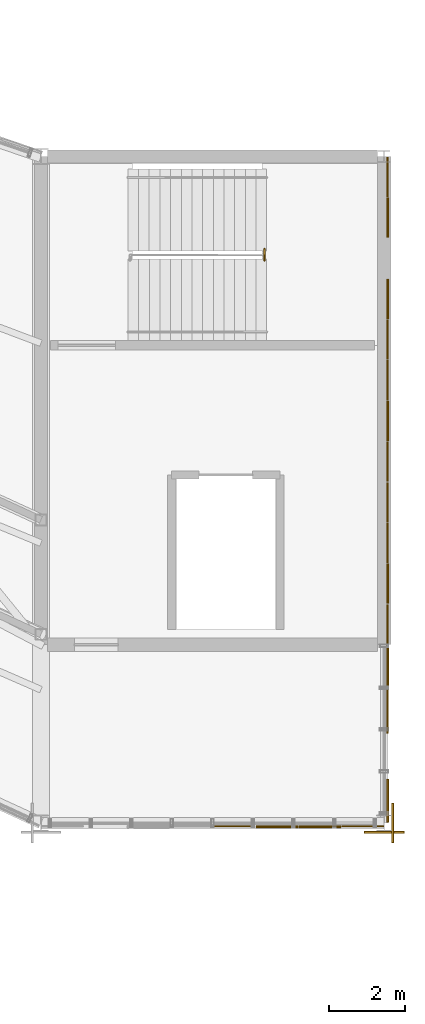
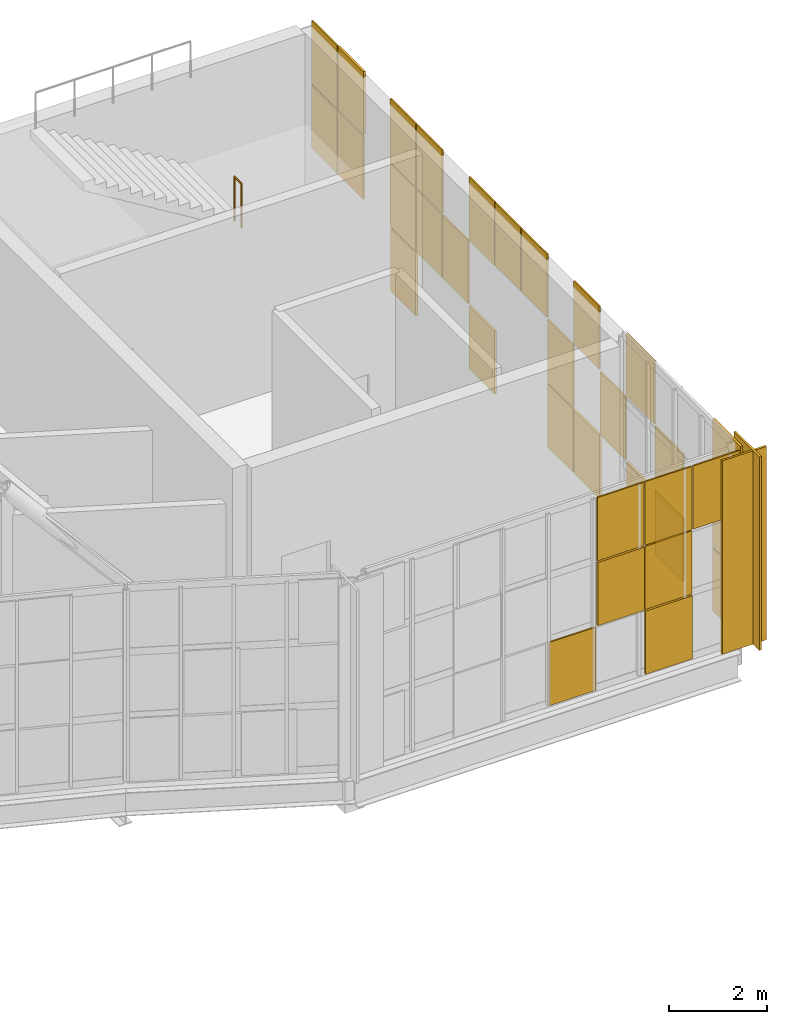
# One storey, part 46 of 46: 35 coverings, 1 railing.
"""IFC4 building model written with IfcOpenShell, lengths in metres."""

import ifcopenshell
import ifcopenshell.guid

model = None  # the IFC model being written
_history = None  # IfcOwnerHistory: only IFC2X3 demands one
_inside = {}  # id of a spatial element -> (the spatial element, [elements in it])
_under = {}  # id of a project, library or spatial element -> (it, [spatial elements below it])
_declared = {}  # id of a project -> (the project, [libraries it declares])
_typed = {}  # id of a type object -> (the type object, [elements of that type])
_made_of = {}  # id of a material, layer set ... -> (it, [elements and type objects made of it])


def new_model(schema):
    """Start an empty IFC model of exactly this schema.

    Asked for "IFC4X3", IfcOpenShell would pick the latest addendum, in which some entities
    have other attributes; the version numbers below select the first issue.
    IFC2X3 requires an IfcOwnerHistory on every rooted entity: one is made here for all.
    """
    global model, _history
    if schema == "IFC4X3":
        model = ifcopenshell.file(schema_version=(4, 3, 0, 0))
    else:
        model = ifcopenshell.file(schema=schema)
    _inside.clear()
    _under.clear()
    _declared.clear()
    _typed.clear()
    _made_of.clear()
    _history = None
    if model.schema == "IFC2X3":
        org = make("IfcOrganization", Name="unknown")
        user = make(
            "IfcPersonAndOrganization",
            ThePerson=make("IfcPerson", FamilyName="unknown"),
            TheOrganization=org,
        )
        app = make(
            "IfcApplication",
            ApplicationDeveloper=org,
            Version="unknown",
            ApplicationFullName="unknown",
            ApplicationIdentifier="unknown",
        )
        _history = make(
            "IfcOwnerHistory",
            OwningUser=user,
            OwningApplication=app,
            ChangeAction="ADDED",
            CreationDate=0,
        )
    return model


def make(cls, **values):
    """One entity of the class cls with the attributes given. An attribute that is None is left unset."""
    return model.create_entity(
        cls, **{name: value for name, value in values.items() if value is not None}
    )


def rooted(cls, **values):
    """An entity with a GlobalId (a new one), such as an element, a storey or a relation."""
    return make(cls, GlobalId=ifcopenshell.guid.new(), OwnerHistory=_history, **values)


def si_unit(unit_type, name, prefix=None):
    """IfcSIUnit, for example si_unit("LENGTHUNIT", "METRE", prefix="MILLI")."""
    return make("IfcSIUnit", UnitType=unit_type, Prefix=prefix, Name=name)


def assignment(units):
    """IfcUnitAssignment: the units of a project."""
    return None if units is None else make("IfcUnitAssignment", Units=units)


def point(xyz):
    """IfcCartesianPoint."""
    return None if xyz is None else make("IfcCartesianPoint", Coordinates=xyz)


def direction(xyz):
    """IfcDirection."""
    return None if xyz is None else make("IfcDirection", DirectionRatios=xyz)


def frame(location, z_axis=None, x_axis=None):
    """IfcAxis2Placement3D, a coordinate frame: its origin and axes. An axis left out is left unset."""
    return make(
        "IfcAxis2Placement3D",
        Location=point(location),
        Axis=direction(z_axis),
        RefDirection=direction(x_axis),
    )


def frame_2d(location, x_axis=None):
    """IfcAxis2Placement2D, a coordinate frame in the plane: its origin and x axis."""
    return make(
        "IfcAxis2Placement2D", Location=point(location), RefDirection=direction(x_axis)
    )


def origin():
    """The frame at (0, 0, 0) with its axes left unset."""
    return frame((0.0, 0.0, 0.0))


def origin_2d():
    """The frame at (0, 0) in the plane with its x axis left unset."""
    return frame_2d((0.0, 0.0))


def place(relative_to, where):
    """IfcLocalPlacement: puts the frame where relative to a parent placement (None: the world)."""
    return make(
        "IfcLocalPlacement", PlacementRelTo=relative_to, RelativePlacement=where
    )


def context(
    kind, dimensions, precision=None, world=None, true_north=None, identifier=None
):
    """IfcGeometricRepresentationContext, for example the 3D "Model" context."""
    return make(
        "IfcGeometricRepresentationContext",
        ContextIdentifier=identifier,
        ContextType=kind,
        CoordinateSpaceDimension=dimensions,
        Precision=precision,
        WorldCoordinateSystem=world,
        TrueNorth=true_north,
    )


def subcontext(parent, identifier, kind, view, scale=None):
    """IfcGeometricRepresentationSubContext, for example "Body" below "Model"."""
    return make(
        "IfcGeometricRepresentationSubContext",
        ContextIdentifier=identifier,
        ContextType=kind,
        ParentContext=parent,
        TargetScale=scale,
        TargetView=view,
    )


def project(units=None, contexts=None):
    """IfcProject with its units and contexts."""
    return rooted(
        "IfcProject",
        Name="project",
        RepresentationContexts=contexts,
        UnitsInContext=assignment(units),
    )


def spatial(cls, under=None, at=None, **own):
    """A site, building, storey or space (cls), placed at a placement, below another one or the project."""
    s = rooted(cls, ObjectPlacement=at, **own)
    if under is not None:
        _under.setdefault(under.id(), (under, []))[1].append(s)
    return s


def profile(cls, at=None, kind="AREA", **sizes):
    """A parametric profile (cls). Its sizes go by their IFC names, for example OverallWidth=200.0."""
    return make(cls, ProfileType=kind, Position=at, **sizes)


def rectangle(**sizes):
    """IfcRectangleProfileDef."""
    return profile("IfcRectangleProfileDef", **sizes)


def circle(**sizes):
    """IfcCircleProfileDef."""
    return profile("IfcCircleProfileDef", **sizes)


def extrude(swept, where, along, depth):
    """IfcExtrudedAreaSolid: the profile swept, set in the frame where, extruded along a direction by depth."""
    return make(
        "IfcExtrudedAreaSolid",
        SweptArea=swept,
        Position=where,
        ExtrudedDirection=direction(along),
        Depth=depth,
    )


def shape(context_of_items, identifier, shape_type, items):
    """IfcShapeRepresentation: the items that make up one representation, for example the "Body"."""
    return make(
        "IfcShapeRepresentation",
        ContextOfItems=context_of_items,
        RepresentationIdentifier=identifier,
        RepresentationType=shape_type,
        Items=items,
    )


def material(Name=None, Category=None):
    """IfcMaterial."""
    return make("IfcMaterial", Name=Name, Category=Category)


def layer(
    of_material, thickness, ventilated=None, Name=None, Category=None, Priority=None
):
    """IfcMaterialLayer: one layer of a wall or slab, of a material (None: an air gap)."""
    return make(
        "IfcMaterialLayer",
        Material=of_material,
        LayerThickness=thickness,
        IsVentilated=ventilated,
        Name=Name,
        Category=Category,
        Priority=Priority,
    )


def layer_set(layers, Name=None):
    """IfcMaterialLayerSet."""
    return make("IfcMaterialLayerSet", MaterialLayers=layers, LayerSetName=Name)


def made_of(thing, what):
    """Note that an element or type object is made of a material, layer set ...; save() writes the relation."""
    if what is not None:
        _made_of.setdefault(what.id(), (what, []))[1].append(thing)
    return thing


def type_object(cls, material=None, **own):
    """A type object (cls), such as IfcWallType, which elements share."""
    return made_of(rooted(cls, **own), material)


def element(
    cls,
    number,
    at=None,
    inside=None,
    cuts=None,
    type_object=None,
    material=None,
    context=None,
    identifier="Body",
    shape_type=None,
    held_by="IfcProductDefinitionShape",
    body=None,
    shapes=None,
    **own,
):
    """One element of the class cls, such as IfcWall. Its Tag is "e" and its number.

    at: its placement. inside: the storey or other place that contains it. cuts: it is an
    opening in that element (IfcRelVoidsElement). A single representation is given by context,
    identifier, shape_type and body (its items); several are given by shapes. held_by: the class
    of the entity that holds the representations. save() writes the other relations.
    """
    e = rooted(cls, Tag="e%d" % number, ObjectPlacement=at, **own)
    if body is not None:
        shapes = [shape(context, identifier, shape_type, body)]
    if shapes is not None:
        e.Representation = make(held_by, Representations=shapes)
    if inside is not None:
        _inside.setdefault(inside.id(), (inside, []))[1].append(e)
    if cuts is not None:
        rooted(
            "IfcRelVoidsElement", RelatingBuildingElement=cuts, RelatedOpeningElement=e
        )
    if type_object is not None:
        _typed.setdefault(type_object.id(), (type_object, []))[1].append(e)
    return made_of(e, material)


def aggregate(whole, parts):
    """IfcRelAggregates: a whole, such as a stair, and the parts it consists of."""
    return rooted("IfcRelAggregates", RelatingObject=whole, RelatedObjects=parts)


def save(model, path):
    """Write the relations noted so far, then the file.

    IfcRelAggregates (storeys below a building ...), IfcRelContainedInSpatialStructure (elements
    in a storey), IfcRelDefinesByType, IfcRelAssociatesMaterial and IfcRelDeclares: one each for
    every whole, place, type object, material and project.
    """
    for whole, parts in _under.values():
        aggregate(whole, parts)
    for where, things in _inside.values():
        rooted(
            "IfcRelContainedInSpatialStructure",
            RelatedElements=things,
            RelatingStructure=where,
        )
    for kind, things in _typed.values():
        rooted("IfcRelDefinesByType", RelatedObjects=things, RelatingType=kind)
    for what, things in _made_of.values():
        rooted("IfcRelAssociatesMaterial", RelatedObjects=things, RelatingMaterial=what)
    for by, libraries in _declared.values():
        rooted("IfcRelDeclares", RelatingContext=by, RelatedDefinitions=libraries)
    model.write(path)


model = new_model("IFC4")

# Units and contexts
model_context = context("Model", 3, precision=1e-05, world=origin(), true_north=direction((0.0, 1.0)))
body_context = subcontext(model_context, "Body", "Model", "MODEL_VIEW")
ifc_project = project(units=[si_unit("LENGTHUNIT", "METRE"), si_unit("AREAUNIT", "SQUARE_METRE"), si_unit("VOLUMEUNIT", "CUBIC_METRE"), si_unit("PLANEANGLEUNIT", "RADIAN"), si_unit("MASSUNIT", "GRAM", prefix="KILO")], contexts=[model_context])

# Site, building, storey
site_placement = place(None, origin())
site = spatial("IfcSite", under=ifc_project, at=site_placement, CompositionType="ELEMENT")
building_placement = place(site_placement, origin())
building = spatial("IfcBuilding", under=site, at=building_placement, Name="Solvikara Media Centre", CompositionType="ELEMENT")
storey_placement = place(building_placement, frame((0.0, 0.0, 24.60009765625)))
storey = spatial("IfcBuildingStorey", under=building, at=storey_placement, Name="L05", CompositionType="ELEMENT", Elevation=24.60009765625)

# Coverings
ifc_material_1 = material(Name="GFRC white mineral architectural rainscreen panel")
ifc_layer_1 = layer(ifc_material_1, 0.050048828125)
ifc_layer_set_1 = layer_set([ifc_layer_1], Name="GFRC white mineral architectural rainscreen panel")
covering_type_1 = type_object("IfcCoveringType", Name="CV-04", PredefinedType="CLADDING", material=ifc_layer_set_1)
for number, where, z_axis, x_axis, name in (
    (1, (136.72802734375, 19.323974609375, 0.0), (0.0, 0.0, 1.0), (0.0, 1.0, 0.0), "PIL-L05-249"),
    (2, (136.5, 19.0849609375, 0.0), (0.0, 0.0, 1.0), (1.0, 0.0, 0.0), "PIL-L05-250"),
):
    element("IfcCovering", number, at=place(storey_placement, frame(where, z_axis=z_axis, x_axis=x_axis)), inside=storey, type_object=covering_type_1, Name=name, PredefinedType="CLADDING", context=body_context, shape_type="SweptSolid", body=[
        extrude(rectangle(XDim=1.0400390625, YDim=0.050048828125, at=origin_2d()), origin(), (0.0, 0.0, 1.0), 4.800048828125),
    ])
for number, where, z_axis, x_axis, name in (
    (3, (133.68798828125, 19.22998046875, 1.61474609375), (0.0, 0.0, 1.0), (1.0, 0.0, 0.0), "CW-L05-BHES-SF-51"),
    (4, (134.81201171875, 19.22998046875, 0.0146484375), (0.0, 0.0, 1.0), (1.0, 0.0, 0.0), "CW-L05-BHES-SF-60"),
):
    element("IfcCovering", number, at=place(storey_placement, frame(where, z_axis=z_axis, x_axis=x_axis)), inside=storey, type_object=covering_type_1, Name=name, PredefinedType="CLADDING", context=body_context, shape_type="SweptSolid", body=[
        extrude(rectangle(XDim=1.094970703125, YDim=0.050048828125, at=origin_2d()), origin(), (0.0, 0.0, 1.0), 1.570068359375),
    ])
for number, where, z_axis, x_axis, name in (
    (5, (136.593994140625, 19.908935546875, 0.0146484375), (0.0, 0.0, 1.0), (0.0, 1.0, 0.0), "CW-L05-BHEE-SF-00"),
    (6, (136.593994140625, 19.908935546875, 3.21484375), (0.0, 0.0, 1.0), (0.0, 1.0, 0.0), "CW-L05-BHEE-SF-02"),
    (7, (136.593994140625, 23.416015625, 0.0146484375), (0.0, 0.0, 1.0), (0.0, 1.0, 0.0), "CW-L05-BHEE-SF-30"),
):
    element("IfcCovering", number, at=place(storey_placement, frame(where, z_axis=z_axis, x_axis=x_axis)), inside=storey, type_object=covering_type_1, Name=name, PredefinedType="CLADDING", context=body_context, shape_type="SweptSolid", body=[
        extrude(rectangle(XDim=1.138916015625, YDim=0.050048828125, at=origin_2d()), origin(), (0.0, 0.0, 1.0), 1.570068359375),
    ])
covering_1_placement = place(storey_placement, frame((136.593994140625, 25.60009765625, 0.0146484375), z_axis=(0.0, 0.0, 1.0), x_axis=(0.0, 1.0, 0.0)))
element("IfcCovering", 8, at=covering_1_placement, inside=storey, type_object=covering_type_1, Name="SHM-L05-C4E-SF-10", PredefinedType="CLADDING", context=body_context, shape_type="SweptSolid", body=[
    extrude(rectangle(XDim=1.035888671875, YDim=0.050048828125, at=origin_2d()), origin(), (0.0, 0.0, 1.0), 1.570068359375),
])
for number, where, z_axis, x_axis, name in (
    (9, (136.593994140625, 29.866943359375, 0.0146484375), (0.0, 0.0, 1.0), (0.0, 1.0, 0.0), "SHM-L05-C4E-SF-50"),
    (10, (136.593994140625, 33.06689453125, 0.0146484375), (0.0, 0.0, 1.0), (0.0, 1.0, 0.0), "SHM-L05-C4E-SF-80"),
):
    element("IfcCovering", number, at=place(storey_placement, frame(where, z_axis=z_axis, x_axis=x_axis)), inside=storey, type_object=covering_type_1, Name=name, PredefinedType="CLADDING", context=body_context, shape_type="SweptSolid", body=[
        extrude(rectangle(XDim=1.037109375, YDim=0.050048828125, at=origin_2d()), origin(), (0.0, 0.0, 1.0), 1.570068359375),
    ])
covering_2_placement = place(storey_placement, frame((136.593994140625, 35.199951171875, 3.21484375), z_axis=(0.0, 0.0, 1.0), x_axis=(0.0, 1.0, 0.0)))
element("IfcCovering", 11, at=covering_2_placement, inside=storey, type_object=covering_type_1, Name="SHM-L05-C4E-SF-102", PredefinedType="CLADDING", context=body_context, shape_type="SweptSolid", body=[
    extrude(rectangle(XDim=1.035888671875, YDim=0.050048828125, at=origin_2d()), origin(), (0.0, 0.0, 1.0), 1.570068359375),
])
ifc_material_2 = material(Name="Insulated silver-pearl glass spandrel panel", Category="glass")
ifc_layer_2 = layer(ifc_material_2, 0.034912109375)
ifc_layer_set_2 = layer_set([ifc_layer_2], Name="Insulated silver-pearl glass spandrel panel")
covering_type_2 = type_object("IfcCoveringType", Name="CV-06", PredefinedType="CLADDING", material=ifc_layer_set_2)
for number, where, z_axis, x_axis, name in (
    (12, (132.56201171875, 19.239990234375, 0.0146484375), (0.0, 0.0, 1.0), (1.0, 0.0, 0.0), "CW-L05-BHES-PX-40"),
    (13, (133.68798828125, 19.239990234375, 3.21484375), (0.0, 0.0, 1.0), (1.0, 0.0, 0.0), "CW-L05-BHES-PX-52"),
    (14, (134.81201171875, 19.239990234375, 1.61474609375), (0.0, 0.0, 1.0), (1.0, 0.0, 0.0), "CW-L05-BHES-PX-61"),
    (15, (134.81201171875, 19.239990234375, 3.21484375), (0.0, 0.0, 1.0), (1.0, 0.0, 0.0), "CW-L05-BHES-PX-62"),
    (16, (135.93798828125, 19.239990234375, 3.21484375), (0.0, 0.0, 1.0), (1.0, 0.0, 0.0), "CW-L05-BHES-PX-72"),
):
    element("IfcCovering", number, at=place(storey_placement, frame(where, z_axis=z_axis, x_axis=x_axis)), inside=storey, type_object=covering_type_2, Name=name, PredefinedType="CLADDING", context=body_context, shape_type="SweptSolid", body=[
        extrude(rectangle(XDim=1.094970703125, YDim=0.034912109375, at=origin_2d()), origin(), (0.0, 0.0, 1.0), 1.570068359375),
    ])
for number, where, z_axis, x_axis, name in (
    (17, (136.583984375, 19.908935546875, 1.61474609375), (0.0, 0.0, 1.0), (0.0, 1.0, 0.0), "CW-L05-BHEE-PX-01"),
    (18, (136.583984375, 22.24609375, 0.0146484375), (0.0, 0.0, 1.0), (0.0, 1.0, 0.0), "CW-L05-BHEE-PX-20"),
    (19, (136.583984375, 22.24609375, 1.61474609375), (0.0, 0.0, 1.0), (0.0, 1.0, 0.0), "CW-L05-BHEE-PX-21"),
    (20, (136.583984375, 23.416015625, 3.21484375), (0.0, 0.0, 1.0), (0.0, 1.0, 0.0), "CW-L05-BHEE-PX-32"),
):
    element("IfcCovering", number, at=place(storey_placement, frame(where, z_axis=z_axis, x_axis=x_axis)), inside=storey, type_object=covering_type_2, Name=name, PredefinedType="CLADDING", context=body_context, shape_type="SweptSolid", body=[
        extrude(rectangle(XDim=1.138916015625, YDim=0.034912109375, at=origin_2d()), origin(), (0.0, 0.0, 1.0), 1.570068359375),
    ])
covering_3_placement = place(storey_placement, frame((136.583984375, 24.533935546875, 1.61474609375), z_axis=(0.0, 0.0, 1.0), x_axis=(0.0, 1.0, 0.0)))
element("IfcCovering", 21, at=covering_3_placement, inside=storey, type_object=covering_type_2, Name="SHM-L05-C4E-PX-01", PredefinedType="CLADDING", context=body_context, shape_type="SweptSolid", body=[
    extrude(rectangle(XDim=1.037109375, YDim=0.034912109375, at=origin_2d()), origin(), (0.0, 0.0, 1.0), 1.570068359375),
])
covering_4_placement = place(storey_placement, frame((136.583984375, 25.60009765625, 3.21484375), z_axis=(0.0, 0.0, 1.0), x_axis=(0.0, 1.0, 0.0)))
element("IfcCovering", 22, at=covering_4_placement, inside=storey, type_object=covering_type_2, Name="SHM-L05-C4E-PX-12", PredefinedType="CLADDING", context=body_context, shape_type="SweptSolid", body=[
    extrude(rectangle(XDim=1.035888671875, YDim=0.034912109375, at=origin_2d()), origin(), (0.0, 0.0, 1.0), 1.570068359375),
])
for number, where, z_axis, x_axis, name in (
    (23, (136.583984375, 26.666015625, 0.0146484375), (0.0, 0.0, 1.0), (0.0, 1.0, 0.0), "SHM-L05-C4E-PX-20"),
    (24, (136.583984375, 26.666015625, 1.61474609375), (0.0, 0.0, 1.0), (0.0, 1.0, 0.0), "SHM-L05-C4E-PX-21"),
    (25, (136.583984375, 27.73291015625, 3.21484375), (0.0, 0.0, 1.0), (0.0, 1.0, 0.0), "SHM-L05-C4E-PX-32"),
):
    element("IfcCovering", number, at=place(storey_placement, frame(where, z_axis=z_axis, x_axis=x_axis)), inside=storey, type_object=covering_type_2, Name=name, PredefinedType="CLADDING", context=body_context, shape_type="SweptSolid", body=[
        extrude(rectangle(XDim=1.037109375, YDim=0.034912109375, at=origin_2d()), origin(), (0.0, 0.0, 1.0), 1.570068359375),
    ])
covering_5_placement = place(storey_placement, frame((136.583984375, 28.800048828125, 3.21484375), z_axis=(0.0, 0.0, 1.0), x_axis=(0.0, 1.0, 0.0)))
element("IfcCovering", 26, at=covering_5_placement, inside=storey, type_object=covering_type_2, Name="SHM-L05-C4E-PX-42", PredefinedType="CLADDING", context=body_context, shape_type="SweptSolid", body=[
    extrude(rectangle(XDim=1.035888671875, YDim=0.034912109375, at=origin_2d()), origin(), (0.0, 0.0, 1.0), 1.570068359375),
])
for number, where, z_axis, x_axis, name in (
    (27, (136.583984375, 29.866943359375, 3.21484375), (0.0, 0.0, 1.0), (0.0, 1.0, 0.0), "SHM-L05-C4E-PX-52"),
    (28, (136.583984375, 30.93408203125, 1.61474609375), (0.0, 0.0, 1.0), (0.0, 1.0, 0.0), "SHM-L05-C4E-PX-61"),
):
    element("IfcCovering", number, at=place(storey_placement, frame(where, z_axis=z_axis, x_axis=x_axis)), inside=storey, type_object=covering_type_2, Name=name, PredefinedType="CLADDING", context=body_context, shape_type="SweptSolid", body=[
        extrude(rectangle(XDim=1.037109375, YDim=0.034912109375, at=origin_2d()), origin(), (0.0, 0.0, 1.0), 1.570068359375),
    ])
for number, where, z_axis, x_axis, name in (
    (29, (136.583984375, 32.0, 1.61474609375), (0.0, 0.0, 1.0), (0.0, 1.0, 0.0), "SHM-L05-C4E-PX-71"),
    (30, (136.583984375, 32.0, 3.21484375), (0.0, 0.0, 1.0), (0.0, 1.0, 0.0), "SHM-L05-C4E-PX-72"),
):
    element("IfcCovering", number, at=place(storey_placement, frame(where, z_axis=z_axis, x_axis=x_axis)), inside=storey, type_object=covering_type_2, Name=name, PredefinedType="CLADDING", context=body_context, shape_type="SweptSolid", body=[
        extrude(rectangle(XDim=1.035888671875, YDim=0.034912109375, at=origin_2d()), origin(), (0.0, 0.0, 1.0), 1.570068359375),
    ])
for number, where, z_axis, x_axis, name in (
    (31, (136.583984375, 33.06689453125, 1.61474609375), (0.0, 0.0, 1.0), (0.0, 1.0, 0.0), "SHM-L05-C4E-PX-81"),
    (32, (136.583984375, 33.06689453125, 3.21484375), (0.0, 0.0, 1.0), (0.0, 1.0, 0.0), "SHM-L05-C4E-PX-82"),
):
    element("IfcCovering", number, at=place(storey_placement, frame(where, z_axis=z_axis, x_axis=x_axis)), inside=storey, type_object=covering_type_2, Name=name, PredefinedType="CLADDING", context=body_context, shape_type="SweptSolid", body=[
        extrude(rectangle(XDim=1.037109375, YDim=0.034912109375, at=origin_2d()), origin(), (0.0, 0.0, 1.0), 1.570068359375),
    ])
covering_6_placement = place(storey_placement, frame((136.583984375, 35.199951171875, 1.61474609375), z_axis=(0.0, 0.0, 1.0), x_axis=(0.0, 1.0, 0.0)))
element("IfcCovering", 33, at=covering_6_placement, inside=storey, type_object=covering_type_2, Name="SHM-L05-C4E-PX-101", PredefinedType="CLADDING", context=body_context, shape_type="SweptSolid", body=[
    extrude(rectangle(XDim=1.035888671875, YDim=0.034912109375, at=origin_2d()), origin(), (0.0, 0.0, 1.0), 1.570068359375),
])
for number, where, z_axis, x_axis, name in (
    (34, (136.583984375, 36.26611328125, 1.61474609375), (0.0, 0.0, 1.0), (0.0, 1.0, 0.0), "SHM-L05-C4E-PX-111"),
    (35, (136.583984375, 36.26611328125, 3.21484375), (0.0, 0.0, 1.0), (0.0, 1.0, 0.0), "SHM-L05-C4E-PX-112"),
):
    element("IfcCovering", number, at=place(storey_placement, frame(where, z_axis=z_axis, x_axis=x_axis)), inside=storey, type_object=covering_type_2, Name=name, PredefinedType="CLADDING", context=body_context, shape_type="SweptSolid", body=[
        extrude(rectangle(XDim=1.037109375, YDim=0.034912109375, at=origin_2d()), origin(), (0.0, 0.0, 1.0), 1.570068359375),
    ])

# Railing
ifc_material_3 = material(Name="Steel S355JR", Category="steel")
railing_type = type_object("IfcRailingType", Name="GR-02", PredefinedType="BALUSTRADE", material=ifc_material_3)
railing_placement = place(storey_placement, frame((133.360107421875, 34.080078125, 2.39990234375)))
element("IfcRailing", 36, at=railing_placement, inside=storey, type_object=railing_type, Name="GR-C4-L05-M", PredefinedType="BALUSTRADE", context=body_context, shape_type="SweptSolid", body=[
    extrude(circle(Radius=0.02392578125, at=origin_2d()), frame((0.0, 0.0, 1.09619140625), z_axis=(0.0, 1.0, 0.0), x_axis=(-1.0, 0.0, 0.0)), (0.0, 0.0, 1.0), 0.2900390625),
    extrude(circle(Radius=0.02099609375, at=origin_2d()), origin(), (0.0, 0.0, 1.0), 1.072021484375),
    extrude(circle(Radius=0.02099609375, at=origin_2d()), frame((0.0, 0.2900390625, 0.0)), (0.0, 0.0, 1.0), 1.072021484375),
])

save(model, "model.ifc")
